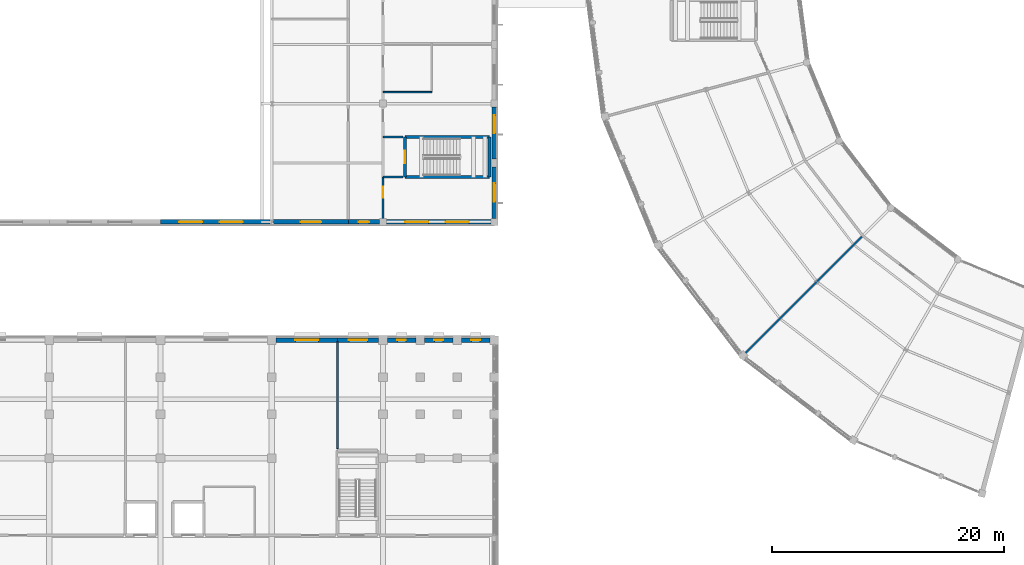
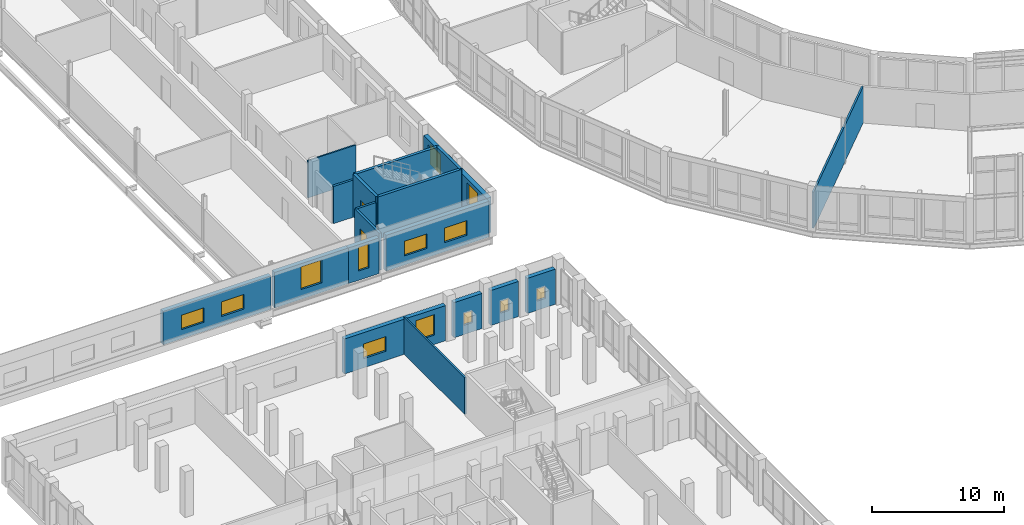
# One storey, part 139 of 170: 21 walls, 13 windows, 2 doors, 15 openings.
"""IFC4 building model written with IfcOpenShell, lengths in metres."""

import ifcopenshell
import ifcopenshell.guid

model = None  # the IFC model being written
_history = None  # IfcOwnerHistory: only IFC2X3 demands one
_inside = {}  # id of a spatial element -> (the spatial element, [elements in it])
_under = {}  # id of a project, library or spatial element -> (it, [spatial elements below it])
_declared = {}  # id of a project -> (the project, [libraries it declares])
_typed = {}  # id of a type object -> (the type object, [elements of that type])
_made_of = {}  # id of a material, layer set ... -> (it, [elements and type objects made of it])


def new_model(schema):
    """Start an empty IFC model of exactly this schema.

    Asked for "IFC4X3", IfcOpenShell would pick the latest addendum, in which some entities
    have other attributes; the version numbers below select the first issue.
    IFC2X3 requires an IfcOwnerHistory on every rooted entity: one is made here for all.
    """
    global model, _history
    if schema == "IFC4X3":
        model = ifcopenshell.file(schema_version=(4, 3, 0, 0))
    else:
        model = ifcopenshell.file(schema=schema)
    _inside.clear()
    _under.clear()
    _declared.clear()
    _typed.clear()
    _made_of.clear()
    _history = None
    if model.schema == "IFC2X3":
        org = make("IfcOrganization", Name="unknown")
        user = make(
            "IfcPersonAndOrganization",
            ThePerson=make("IfcPerson", FamilyName="unknown"),
            TheOrganization=org,
        )
        app = make(
            "IfcApplication",
            ApplicationDeveloper=org,
            Version="unknown",
            ApplicationFullName="unknown",
            ApplicationIdentifier="unknown",
        )
        _history = make(
            "IfcOwnerHistory",
            OwningUser=user,
            OwningApplication=app,
            ChangeAction="ADDED",
            CreationDate=0,
        )
    return model


def make(cls, **values):
    """One entity of the class cls with the attributes given. An attribute that is None is left unset."""
    return model.create_entity(
        cls, **{name: value for name, value in values.items() if value is not None}
    )


def rooted(cls, **values):
    """An entity with a GlobalId (a new one), such as an element, a storey or a relation."""
    return make(cls, GlobalId=ifcopenshell.guid.new(), OwnerHistory=_history, **values)


def si_unit(unit_type, name, prefix=None):
    """IfcSIUnit, for example si_unit("LENGTHUNIT", "METRE", prefix="MILLI")."""
    return make("IfcSIUnit", UnitType=unit_type, Prefix=prefix, Name=name)


def assignment(units):
    """IfcUnitAssignment: the units of a project."""
    return None if units is None else make("IfcUnitAssignment", Units=units)


def point(xyz):
    """IfcCartesianPoint."""
    return None if xyz is None else make("IfcCartesianPoint", Coordinates=xyz)


def direction(xyz):
    """IfcDirection."""
    return None if xyz is None else make("IfcDirection", DirectionRatios=xyz)


def frame(location, z_axis=None, x_axis=None):
    """IfcAxis2Placement3D, a coordinate frame: its origin and axes. An axis left out is left unset."""
    return make(
        "IfcAxis2Placement3D",
        Location=point(location),
        Axis=direction(z_axis),
        RefDirection=direction(x_axis),
    )


def frame_2d(location, x_axis=None):
    """IfcAxis2Placement2D, a coordinate frame in the plane: its origin and x axis."""
    return make(
        "IfcAxis2Placement2D", Location=point(location), RefDirection=direction(x_axis)
    )


def origin():
    """The frame at (0, 0, 0) with its axes left unset."""
    return frame((0.0, 0.0, 0.0))


def place(relative_to, where):
    """IfcLocalPlacement: puts the frame where relative to a parent placement (None: the world)."""
    return make(
        "IfcLocalPlacement", PlacementRelTo=relative_to, RelativePlacement=where
    )


def context(
    kind, dimensions, precision=None, world=None, true_north=None, identifier=None
):
    """IfcGeometricRepresentationContext, for example the 3D "Model" context."""
    return make(
        "IfcGeometricRepresentationContext",
        ContextIdentifier=identifier,
        ContextType=kind,
        CoordinateSpaceDimension=dimensions,
        Precision=precision,
        WorldCoordinateSystem=world,
        TrueNorth=true_north,
    )


def subcontext(parent, identifier, kind, view, scale=None):
    """IfcGeometricRepresentationSubContext, for example "Body" below "Model"."""
    return make(
        "IfcGeometricRepresentationSubContext",
        ContextIdentifier=identifier,
        ContextType=kind,
        ParentContext=parent,
        TargetScale=scale,
        TargetView=view,
    )


def project(units=None, contexts=None):
    """IfcProject with its units and contexts."""
    return rooted(
        "IfcProject",
        Name="project",
        RepresentationContexts=contexts,
        UnitsInContext=assignment(units),
    )


def spatial(cls, under=None, at=None, **own):
    """A site, building, storey or space (cls), placed at a placement, below another one or the project."""
    s = rooted(cls, ObjectPlacement=at, **own)
    if under is not None:
        _under.setdefault(under.id(), (under, []))[1].append(s)
    return s


def profile(cls, at=None, kind="AREA", **sizes):
    """A parametric profile (cls). Its sizes go by their IFC names, for example OverallWidth=200.0."""
    return make(cls, ProfileType=kind, Position=at, **sizes)


def rectangle(**sizes):
    """IfcRectangleProfileDef."""
    return profile("IfcRectangleProfileDef", **sizes)


def extrude(swept, where, along, depth):
    """IfcExtrudedAreaSolid: the profile swept, set in the frame where, extruded along a direction by depth."""
    return make(
        "IfcExtrudedAreaSolid",
        SweptArea=swept,
        Position=where,
        ExtrudedDirection=direction(along),
        Depth=depth,
    )


def shape(context_of_items, identifier, shape_type, items):
    """IfcShapeRepresentation: the items that make up one representation, for example the "Body"."""
    return make(
        "IfcShapeRepresentation",
        ContextOfItems=context_of_items,
        RepresentationIdentifier=identifier,
        RepresentationType=shape_type,
        Items=items,
    )


def material(Name=None, Category=None):
    """IfcMaterial."""
    return make("IfcMaterial", Name=Name, Category=Category)


def layer(
    of_material, thickness, ventilated=None, Name=None, Category=None, Priority=None
):
    """IfcMaterialLayer: one layer of a wall or slab, of a material (None: an air gap)."""
    return make(
        "IfcMaterialLayer",
        Material=of_material,
        LayerThickness=thickness,
        IsVentilated=ventilated,
        Name=Name,
        Category=Category,
        Priority=Priority,
    )


def layer_set(layers, Name=None):
    """IfcMaterialLayerSet."""
    return make("IfcMaterialLayerSet", MaterialLayers=layers, LayerSetName=Name)


def made_of(thing, what):
    """Note that an element or type object is made of a material, layer set ...; save() writes the relation."""
    if what is not None:
        _made_of.setdefault(what.id(), (what, []))[1].append(thing)
    return thing


def type_object(cls, material=None, **own):
    """A type object (cls), such as IfcWallType, which elements share."""
    return made_of(rooted(cls, **own), material)


def element(
    cls,
    number,
    at=None,
    inside=None,
    cuts=None,
    type_object=None,
    material=None,
    context=None,
    identifier="Body",
    shape_type=None,
    held_by="IfcProductDefinitionShape",
    body=None,
    shapes=None,
    **own,
):
    """One element of the class cls, such as IfcWall. Its Tag is "e" and its number.

    at: its placement. inside: the storey or other place that contains it. cuts: it is an
    opening in that element (IfcRelVoidsElement). A single representation is given by context,
    identifier, shape_type and body (its items); several are given by shapes. held_by: the class
    of the entity that holds the representations. save() writes the other relations.
    """
    e = rooted(cls, Tag="e%d" % number, ObjectPlacement=at, **own)
    if body is not None:
        shapes = [shape(context, identifier, shape_type, body)]
    if shapes is not None:
        e.Representation = make(held_by, Representations=shapes)
    if inside is not None:
        _inside.setdefault(inside.id(), (inside, []))[1].append(e)
    if cuts is not None:
        rooted(
            "IfcRelVoidsElement", RelatingBuildingElement=cuts, RelatedOpeningElement=e
        )
    if type_object is not None:
        _typed.setdefault(type_object.id(), (type_object, []))[1].append(e)
    return made_of(e, material)


def fill(opening, filler):
    """IfcRelFillsElement: the door or window that sits in an opening."""
    return rooted(
        "IfcRelFillsElement",
        RelatingOpeningElement=opening,
        RelatedBuildingElement=filler,
    )


def aggregate(whole, parts):
    """IfcRelAggregates: a whole, such as a stair, and the parts it consists of."""
    return rooted("IfcRelAggregates", RelatingObject=whole, RelatedObjects=parts)


def save(model, path):
    """Write the relations noted so far, then the file.

    IfcRelAggregates (storeys below a building ...), IfcRelContainedInSpatialStructure (elements
    in a storey), IfcRelDefinesByType, IfcRelAssociatesMaterial and IfcRelDeclares: one each for
    every whole, place, type object, material and project.
    """
    for whole, parts in _under.values():
        aggregate(whole, parts)
    for where, things in _inside.values():
        rooted(
            "IfcRelContainedInSpatialStructure",
            RelatedElements=things,
            RelatingStructure=where,
        )
    for kind, things in _typed.values():
        rooted("IfcRelDefinesByType", RelatedObjects=things, RelatingType=kind)
    for what, things in _made_of.values():
        rooted("IfcRelAssociatesMaterial", RelatedObjects=things, RelatingMaterial=what)
    for by, libraries in _declared.values():
        rooted("IfcRelDeclares", RelatingContext=by, RelatedDefinitions=libraries)
    model.write(path)


model = new_model("IFC4")

# Units and contexts
model_context = context("Model", 3, precision=1e-05, world=origin(), true_north=direction((0.0, 1.0)))
body_context = subcontext(model_context, "Body", "Model", "MODEL_VIEW")
ifc_project = project(units=[si_unit("LENGTHUNIT", "METRE"), si_unit("AREAUNIT", "SQUARE_METRE"), si_unit("VOLUMEUNIT", "CUBIC_METRE"), si_unit("PLANEANGLEUNIT", "RADIAN"), si_unit("MASSUNIT", "GRAM", prefix="KILO")], contexts=[model_context])

# Site, building, storey
site_placement = place(None, origin())
site = spatial("IfcSite", under=ifc_project, at=site_placement, CompositionType="ELEMENT")
building_placement = place(site_placement, origin())
building = spatial("IfcBuilding", under=site, at=building_placement, Name="Vondelvale Polytechnic", CompositionType="ELEMENT")
storey_placement = place(building_placement, frame((0.0, 0.0, 5.39990234375)))
storey = spatial("IfcBuildingStorey", under=building, at=storey_placement, Name="L01", CompositionType="ELEMENT", Elevation=5.39990234375)

# Wall, opening, window
ifc_material_1 = material(Name="Amsterdam School iron-spot clinker clay brickwork", Category="masonry")
ifc_layer_1 = layer(ifc_material_1, 0.3798828125)
ifc_layer_set_1 = layer_set([ifc_layer_1], Name="WL-BRICK-380")
wall_type_1 = type_object("IfcWallType", Name="WL-BRICK-380", PredefinedType="SOLIDWALL", material=ifc_layer_set_1)
wall_1_placement = place(storey_placement, frame((48.0, 55.7490234375, 0.0), z_axis=(0.0, 0.0, 1.0), x_axis=(0.0, -1.0, 0.0)))
wall_1 = element("IfcWall", 1, at=wall_1_placement, inside=storey, type_object=wall_type_1, Name="L01 exterior masonry facade wall", PredefinedType="SOLIDWALL", context=body_context, shape_type="SweptSolid", body=[
    extrude(rectangle(XDim=4.447998046875, YDim=0.3798828125, at=frame_2d((2.22412109375, 0.0))), origin(), (0.0, 0.0, 1.0), 3.25),
])
opening_1_placement = place(wall_1_placement, frame((1.424072265625, 0.0, 0.949951171875)))
opening_1 = element("IfcOpeningElement", 2, at=opening_1_placement, cuts=wall_1, Name="Opening WN-0053", PredefinedType="OPENING", context=body_context, shape_type="SweptSolid", body=[
    extrude(rectangle(XDim=1.60009765625, YDim=1.89990234375, at=frame_2d((0.800048828125, 0.949951171875))), frame((0.0, 0.199951171875, 0.0), z_axis=(0.0, -1.0, 0.0), x_axis=(1.0, 0.0, 0.0)), (0.0, 0.0, 1.0), 0.39990234375),
])
ifc_material_2 = material(Name="Double-glazed low-E insulated architectural glass", Category="glass")
window_type_1 = type_object("IfcWindowType", Name="WN-SEM-1600x1900", PartitioningType="SINGLE_PANEL", PredefinedType="WINDOW", material=ifc_material_2)
window_1_placement = place(opening_1_placement, origin())
window_1 = element("IfcWindow", 3, at=window_1_placement, inside=storey, type_object=window_type_1, Name="L01 double-glazed architectural window WN-0053", OverallHeight=1.89990234375, OverallWidth=1.60009765625, PartitioningType="SINGLE_PANEL", PredefinedType="WINDOW", context=body_context, shape_type="SweptSolid", body=[
    extrude(rectangle(XDim=1.60009765625, YDim=1.89990234375, at=frame_2d((0.800048828125, 0.949951171875))), frame((0.0, 0.030029296875, 0.0), z_axis=(0.0, -1.0, 0.0), x_axis=(1.0, 0.0, 0.0)), (0.0, 0.0, 1.0), 0.06005859375),
])
fill(opening_1, window_1)

wall_2_placement = place(storey_placement, frame((48.0, 60.89892578125, 0.0), z_axis=(0.0, 0.0, 1.0), x_axis=(0.0, -1.0, 0.0)))
wall_2 = element("IfcWall", 4, at=wall_2_placement, inside=storey, type_object=wall_type_1, Name="L01 exterior masonry facade wall", PredefinedType="SOLIDWALL", context=body_context, shape_type="SweptSolid", body=[
    extrude(rectangle(XDim=4.447998046875, YDim=0.3798828125, at=frame_2d((2.22412109375, 0.0))), origin(), (0.0, 0.0, 1.0), 3.25),
])
opening_2_placement = place(wall_2_placement, frame((0.7041015625, 0.0, 0.949951171875)))
opening_2 = element("IfcOpeningElement", 5, at=opening_2_placement, cuts=wall_2, Name="Opening WN-0054", PredefinedType="OPENING", context=body_context, shape_type="SweptSolid", body=[
    extrude(rectangle(XDim=1.550048828125, YDim=1.85009765625, at=frame_2d((0.77490234375, 0.925048828125))), frame((0.0, 0.199951171875, 0.0), z_axis=(0.0, -1.0, 0.0), x_axis=(1.0, 0.0, 0.0)), (0.0, 0.0, 1.0), 0.39990234375),
])
window_type_2 = type_object("IfcWindowType", Name="WN-SEM-1550x1850", PartitioningType="SINGLE_PANEL", PredefinedType="WINDOW", material=ifc_material_2)
window_2_placement = place(opening_2_placement, origin())
window_2 = element("IfcWindow", 6, at=window_2_placement, inside=storey, type_object=window_type_2, Name="L01 double-glazed architectural window WN-0054", OverallHeight=1.85009765625, OverallWidth=1.550048828125, PartitioningType="SINGLE_PANEL", PredefinedType="WINDOW", context=body_context, shape_type="SweptSolid", body=[
    extrude(rectangle(XDim=1.550048828125, YDim=1.85009765625, at=frame_2d((0.77490234375, 0.925048828125))), frame((0.0, 0.030029296875, 0.0), z_axis=(0.0, -1.0, 0.0), x_axis=(1.0, 0.0, 0.0)), (0.0, 0.0, 1.0), 0.06005859375),
])
fill(opening_2, window_2)

# Wall, openings, windows
wall_3_placement = place(storey_placement, frame((28.635498046875, 51.0, 0.0), z_axis=(0.0, 0.0, 1.0), x_axis=(-1.0, 0.0, 0.0)))
wall_3 = element("IfcWall", 7, at=wall_3_placement, inside=storey, type_object=wall_type_1, Name="L01 exterior masonry facade wall", PredefinedType="SOLIDWALL", context=body_context, shape_type="SweptSolid", body=[
    extrude(rectangle(XDim=9.435546875, YDim=0.3798828125, at=frame_2d((4.7177734375, 0.0))), origin(), (0.0, 0.0, 1.0), 3.10009765625),
])
opening_3_placement = place(wall_3_placement, frame((5.83544921875, 0.0, 0.85009765625)))
opening_3 = element("IfcOpeningElement", 8, at=opening_3_placement, cuts=wall_3, Name="Opening WN-0071", PredefinedType="OPENING", context=body_context, shape_type="SweptSolid", body=[
    extrude(rectangle(XDim=2.0, YDim=1.35009765625, at=frame_2d((1.0, 0.675048828125))), frame((0.0, 0.199951171875, 0.0), z_axis=(0.0, -1.0, 0.0), x_axis=(1.0, 0.0, 0.0)), (0.0, 0.0, 1.0), 0.39990234375),
])
opening_4_placement = place(wall_3_placement, frame((2.33544921875, 0.0, 0.85009765625)))
opening_4 = element("IfcOpeningElement", 9, at=opening_4_placement, cuts=wall_3, Name="Opening WN-0072", PredefinedType="OPENING", context=body_context, shape_type="SweptSolid", body=[
    extrude(rectangle(XDim=2.0, YDim=1.35009765625, at=frame_2d((1.0, 0.675048828125))), frame((0.0, 0.199951171875, 0.0), z_axis=(0.0, -1.0, 0.0), x_axis=(1.0, 0.0, 0.0)), (0.0, 0.0, 1.0), 0.39990234375),
])
window_type_3 = type_object("IfcWindowType", Name="WN-RIB-2000x1350", PartitioningType="SINGLE_PANEL", PredefinedType="WINDOW", material=ifc_material_2)
window_3_placement = place(opening_3_placement, origin())
window_3 = element("IfcWindow", 10, at=window_3_placement, inside=storey, type_object=window_type_3, Name="L01 double-glazed architectural window WN-0071", OverallHeight=1.35009765625, OverallWidth=2.0, PartitioningType="SINGLE_PANEL", PredefinedType="WINDOW", context=body_context, shape_type="SweptSolid", body=[
    extrude(rectangle(XDim=2.0, YDim=1.35009765625, at=frame_2d((1.0, 0.675048828125))), frame((0.0, 0.030029296875, 0.0), z_axis=(0.0, -1.0, 0.0), x_axis=(1.0, 0.0, 0.0)), (0.0, 0.0, 1.0), 0.06005859375),
])
fill(opening_3, window_3)
window_4_placement = place(opening_4_placement, origin())
window_4 = element("IfcWindow", 11, at=window_4_placement, inside=storey, type_object=window_type_3, Name="L01 double-glazed architectural window WN-0072", OverallHeight=1.35009765625, OverallWidth=2.0, PartitioningType="SINGLE_PANEL", PredefinedType="WINDOW", context=body_context, shape_type="SweptSolid", body=[
    extrude(rectangle(XDim=2.0, YDim=1.35009765625, at=frame_2d((1.0, 0.675048828125))), frame((0.0, 0.030029296875, 0.0), z_axis=(0.0, -1.0, 0.0), x_axis=(1.0, 0.0, 0.0)), (0.0, 0.0, 1.0), 0.06005859375),
])
fill(opening_4, window_4)

# Wall, opening, window
wall_4_placement = place(storey_placement, frame((35.39990234375, 51.0, 0.0), z_axis=(0.0, 0.0, 1.0), x_axis=(-1.0, 0.0, 0.0)))
wall_4 = element("IfcWall", 12, at=wall_4_placement, inside=storey, type_object=wall_type_1, Name="L01 exterior masonry facade wall", PredefinedType="SOLIDWALL", context=body_context, shape_type="SweptSolid", body=[
    extrude(rectangle(XDim=6.435302734375, YDim=0.3798828125, at=frame_2d((3.2177734375, 0.0))), origin(), (0.0, 0.0, 1.0), 3.298095703125),
])
opening_5_placement = place(wall_4_placement, frame((2.31787109375, 0.0, 0.89990234375)))
opening_5 = element("IfcOpeningElement", 13, at=opening_5_placement, cuts=wall_4, Name="Opening WN-0073", PredefinedType="OPENING", context=body_context, shape_type="SweptSolid", body=[
    extrude(rectangle(XDim=1.800048828125, YDim=2.10009765625, at=frame_2d((0.89990234375, 1.050048828125))), frame((0.0, 0.199951171875, 0.0), z_axis=(0.0, -1.0, 0.0), x_axis=(1.0, 0.0, 0.0)), (0.0, 0.0, 1.0), 0.39990234375),
])
window_type_4 = type_object("IfcWindowType", Name="WN-LAB-1800x2100", PartitioningType="SINGLE_PANEL", PredefinedType="WINDOW", material=ifc_material_2)
window_5_placement = place(opening_5_placement, origin())
window_5 = element("IfcWindow", 14, at=window_5_placement, inside=storey, type_object=window_type_4, Name="L01 double-glazed architectural window WN-0073", OverallHeight=2.10009765625, OverallWidth=1.800048828125, PartitioningType="SINGLE_PANEL", PredefinedType="WINDOW", context=body_context, shape_type="SweptSolid", body=[
    extrude(rectangle(XDim=1.800048828125, YDim=2.10009765625, at=frame_2d((0.89990234375, 1.050048828125))), frame((0.0, 0.030029296875, 0.0), z_axis=(0.0, -1.0, 0.0), x_axis=(1.0, 0.0, 0.0)), (0.0, 0.0, 1.0), 0.06005859375),
])
fill(opening_5, window_5)

wall_5_placement = place(storey_placement, frame((38.09912109375, 51.0, 0.0), z_axis=(0.0, 0.0, 1.0), x_axis=(-1.0, 0.0, 0.0)))
wall_5 = element("IfcWall", 15, at=wall_5_placement, inside=storey, type_object=wall_type_1, Name="L01 exterior masonry facade wall", PredefinedType="SOLIDWALL", context=body_context, shape_type="SweptSolid", body=[
    extrude(rectangle(XDim=2.69921875, YDim=0.3798828125, at=frame_2d((1.349609375, 0.0))), origin(), (0.0, 0.0, 1.0), 3.298095703125),
])
opening_6_placement = place(wall_5_placement, frame((0.8994140625, 0.0, 0.85009765625)))
opening_6 = element("IfcOpeningElement", 16, at=opening_6_placement, cuts=wall_5, Name="Opening WN-0074", PredefinedType="OPENING", context=body_context, shape_type="SweptSolid", body=[
    extrude(rectangle(XDim=0.89990234375, YDim=2.199951171875, at=frame_2d((0.449951171875, 1.10009765625))), frame((0.0, 0.199951171875, 0.0), z_axis=(0.0, -1.0, 0.0), x_axis=(1.0, 0.0, 0.0)), (0.0, 0.0, 1.0), 0.39990234375),
])
window_type_5 = type_object("IfcWindowType", Name="WN-TUR-0900x2200", PartitioningType="SINGLE_PANEL", PredefinedType="WINDOW", material=ifc_material_2)
window_6_placement = place(opening_6_placement, origin())
window_6 = element("IfcWindow", 17, at=window_6_placement, inside=storey, type_object=window_type_5, Name="L01 double-glazed architectural window WN-0074", OverallHeight=2.199951171875, OverallWidth=0.89990234375, PartitioningType="SINGLE_PANEL", PredefinedType="WINDOW", context=body_context, shape_type="SweptSolid", body=[
    extrude(rectangle(XDim=0.89990234375, YDim=2.199951171875, at=frame_2d((0.449951171875, 1.10009765625))), frame((0.0, 0.030029296875, 0.0), z_axis=(0.0, -1.0, 0.0), x_axis=(1.0, 0.0, 0.0)), (0.0, 0.0, 1.0), 0.06005859375),
])
fill(opening_6, window_6)

# Wall, openings, windows
wall_6_placement = place(storey_placement, frame((47.698974609375, 51.0, 0.0), z_axis=(0.0, 0.0, 1.0), x_axis=(-1.0, 0.0, 0.0)))
wall_6 = element("IfcWall", 18, at=wall_6_placement, inside=storey, type_object=wall_type_1, Name="L01 exterior masonry facade wall", PredefinedType="SOLIDWALL", context=body_context, shape_type="SweptSolid", body=[
    extrude(rectangle(XDim=8.998046875, YDim=0.3798828125, at=frame_2d((4.4990234375, 0.0))), origin(), (0.0, 0.0, 1.0), 3.320068359375),
])
opening_7_placement = place(wall_6_placement, frame((5.39794921875, 0.0, 0.85009765625)))
opening_7 = element("IfcOpeningElement", 19, at=opening_7_placement, cuts=wall_6, Name="Opening WN-0075", PredefinedType="OPENING", context=body_context, shape_type="SweptSolid", body=[
    extrude(rectangle(XDim=2.0, YDim=1.35009765625, at=frame_2d((1.0, 0.675048828125))), frame((0.0, 0.199951171875, 0.0), z_axis=(0.0, -1.0, 0.0), x_axis=(1.0, 0.0, 0.0)), (0.0, 0.0, 1.0), 0.39990234375),
])
opening_8_placement = place(wall_6_placement, frame((1.89794921875, 0.0, 0.85009765625)))
opening_8 = element("IfcOpeningElement", 20, at=opening_8_placement, cuts=wall_6, Name="Opening WN-0076", PredefinedType="OPENING", context=body_context, shape_type="SweptSolid", body=[
    extrude(rectangle(XDim=2.0, YDim=1.35009765625, at=frame_2d((1.0, 0.675048828125))), frame((0.0, 0.199951171875, 0.0), z_axis=(0.0, -1.0, 0.0), x_axis=(1.0, 0.0, 0.0)), (0.0, 0.0, 1.0), 0.39990234375),
])
window_7_placement = place(opening_7_placement, origin())
window_7 = element("IfcWindow", 21, at=window_7_placement, inside=storey, type_object=window_type_3, Name="L01 double-glazed architectural window WN-0075", OverallHeight=1.35009765625, OverallWidth=2.0, PartitioningType="SINGLE_PANEL", PredefinedType="WINDOW", context=body_context, shape_type="SweptSolid", body=[
    extrude(rectangle(XDim=2.0, YDim=1.35009765625, at=frame_2d((1.0, 0.675048828125))), frame((0.0, 0.030029296875, 0.0), z_axis=(0.0, -1.0, 0.0), x_axis=(1.0, 0.0, 0.0)), (0.0, 0.0, 1.0), 0.06005859375),
])
fill(opening_7, window_7)
window_8_placement = place(opening_8_placement, origin())
window_8 = element("IfcWindow", 22, at=window_8_placement, inside=storey, type_object=window_type_3, Name="L01 double-glazed architectural window WN-0076", OverallHeight=1.35009765625, OverallWidth=2.0, PartitioningType="SINGLE_PANEL", PredefinedType="WINDOW", context=body_context, shape_type="SweptSolid", body=[
    extrude(rectangle(XDim=2.0, YDim=1.35009765625, at=frame_2d((1.0, 0.675048828125))), frame((0.0, 0.030029296875, 0.0), z_axis=(0.0, -1.0, 0.0), x_axis=(1.0, 0.0, 0.0)), (0.0, 0.0, 1.0), 0.06005859375),
])
fill(opening_8, window_8)

# Wall, opening, window
wall_7_placement = place(storey_placement, frame((29.176025390625, 40.800048828125, 0.0), z_axis=(0.0, 0.0, 1.0), x_axis=(1.0, 0.0, 0.0)))
wall_7 = element("IfcWall", 23, at=wall_7_placement, inside=storey, type_object=wall_type_1, Name="L01 exterior masonry facade wall", PredefinedType="SOLIDWALL", context=body_context, shape_type="SweptSolid", body=[
    extrude(rectangle(XDim=5.299072265625, YDim=0.3798828125, at=frame_2d((2.6494140625, 0.0))), origin(), (0.0, 0.0, 1.0), 3.25),
])
opening_9_placement = place(wall_7_placement, frame((1.6494140625, 0.0, 0.85009765625)))
opening_9 = element("IfcOpeningElement", 24, at=opening_9_placement, cuts=wall_7, Name="Opening WN-0178", PredefinedType="OPENING", context=body_context, shape_type="SweptSolid", body=[
    extrude(rectangle(XDim=2.0, YDim=1.35009765625, at=frame_2d((1.0, 0.675048828125))), frame((0.0, 0.199951171875, 0.0), z_axis=(0.0, -1.0, 0.0), x_axis=(1.0, 0.0, 0.0)), (0.0, 0.0, 1.0), 0.39990234375),
])
window_9_placement = place(opening_9_placement, origin())
window_9 = element("IfcWindow", 25, at=window_9_placement, inside=storey, type_object=window_type_3, Name="L01 double-glazed architectural window WN-0178", OverallHeight=1.35009765625, OverallWidth=2.0, PartitioningType="SINGLE_PANEL", PredefinedType="WINDOW", context=body_context, shape_type="SweptSolid", body=[
    extrude(rectangle(XDim=2.0, YDim=1.35009765625, at=frame_2d((1.0, 0.675048828125))), frame((0.0, 0.030029296875, 0.0), z_axis=(0.0, -1.0, 0.0), x_axis=(1.0, 0.0, 0.0)), (0.0, 0.0, 1.0), 0.06005859375),
])
fill(opening_9, window_9)

wall_8_placement = place(storey_placement, frame((34.47509765625, 40.800048828125, 0.0), z_axis=(0.0, 0.0, 1.0), x_axis=(1.0, 0.0, 0.0)))
wall_8 = element("IfcWall", 26, at=wall_8_placement, inside=storey, type_object=wall_type_1, Name="L01 exterior masonry facade wall", PredefinedType="SOLIDWALL", context=body_context, shape_type="SweptSolid", body=[
    extrude(rectangle(XDim=3.548828125, YDim=0.3798828125, at=frame_2d((1.7744140625, 0.0))), origin(), (0.0, 0.0, 1.0), 3.25),
])
opening_10_placement = place(wall_8_placement, frame((0.974609375, 0.0, 0.85009765625)))
opening_10 = element("IfcOpeningElement", 27, at=opening_10_placement, cuts=wall_8, Name="Opening WN-0179", PredefinedType="OPENING", context=body_context, shape_type="SweptSolid", body=[
    extrude(rectangle(XDim=1.60009765625, YDim=1.89990234375, at=frame_2d((0.800048828125, 0.949951171875))), frame((0.0, 0.199951171875, 0.0), z_axis=(0.0, -1.0, 0.0), x_axis=(1.0, 0.0, 0.0)), (0.0, 0.0, 1.0), 0.39990234375),
])
window_10_placement = place(opening_10_placement, origin())
window_10 = element("IfcWindow", 28, at=window_10_placement, inside=storey, type_object=window_type_1, Name="L01 double-glazed architectural window WN-0179", OverallHeight=1.89990234375, OverallWidth=1.60009765625, PartitioningType="SINGLE_PANEL", PredefinedType="WINDOW", context=body_context, shape_type="SweptSolid", body=[
    extrude(rectangle(XDim=1.60009765625, YDim=1.89990234375, at=frame_2d((0.800048828125, 0.949951171875))), frame((0.0, 0.030029296875, 0.0), z_axis=(0.0, -1.0, 0.0), x_axis=(1.0, 0.0, 0.0)), (0.0, 0.0, 1.0), 0.06005859375),
])
fill(opening_10, window_10)

wall_9_placement = place(storey_placement, frame((38.77587890625, 40.800048828125, 0.0), z_axis=(0.0, 0.0, 1.0), x_axis=(1.0, 0.0, 0.0)))
wall_9 = element("IfcWall", 29, at=wall_9_placement, inside=storey, type_object=wall_type_1, Name="L01 exterior masonry facade wall", PredefinedType="SOLIDWALL", context=body_context, shape_type="SweptSolid", body=[
    extrude(rectangle(XDim=2.4482421875, YDim=0.3798828125, at=frame_2d((1.22412109375, 0.0))), origin(), (0.0, 0.0, 1.0), 3.25),
])
opening_11_placement = place(wall_9_placement, frame((0.84912109375, 0.0, 0.85009765625)))
opening_11 = element("IfcOpeningElement", 30, at=opening_11_placement, cuts=wall_9, Name="Opening WN-0180", PredefinedType="OPENING", context=body_context, shape_type="SweptSolid", body=[
    extrude(rectangle(XDim=0.75, YDim=1.10009765625, at=frame_2d((0.375, 0.550048828125))), frame((0.0, 0.199951171875, 0.0), z_axis=(0.0, -1.0, 0.0), x_axis=(1.0, 0.0, 0.0)), (0.0, 0.0, 1.0), 0.39990234375),
])
window_type_6 = type_object("IfcWindowType", Name="WN-WC-0750x1100", PartitioningType="SINGLE_PANEL", PredefinedType="WINDOW", material=ifc_material_2)
window_11_placement = place(opening_11_placement, origin())
window_11 = element("IfcWindow", 31, at=window_11_placement, inside=storey, type_object=window_type_6, Name="L01 double-glazed architectural window WN-0180", OverallHeight=1.10009765625, OverallWidth=0.75, PartitioningType="SINGLE_PANEL", PredefinedType="WINDOW", context=body_context, shape_type="SweptSolid", body=[
    extrude(rectangle(XDim=0.75, YDim=1.10009765625, at=frame_2d((0.375, 0.550048828125))), frame((0.0, 0.030029296875, 0.0), z_axis=(0.0, -1.0, 0.0), x_axis=(1.0, 0.0, 0.0)), (0.0, 0.0, 1.0), 0.06005859375),
])
fill(opening_11, window_11)

wall_10_placement = place(storey_placement, frame((41.97607421875, 40.800048828125, 0.0), z_axis=(0.0, 0.0, 1.0), x_axis=(1.0, 0.0, 0.0)))
wall_10 = element("IfcWall", 32, at=wall_10_placement, inside=storey, type_object=wall_type_1, Name="L01 exterior masonry facade wall", PredefinedType="SOLIDWALL", context=body_context, shape_type="SweptSolid", body=[
    extrude(rectangle(XDim=2.447998046875, YDim=0.3798828125, at=frame_2d((1.22412109375, 0.0))), origin(), (0.0, 0.0, 1.0), 3.25),
])
opening_12_placement = place(wall_10_placement, frame((0.84912109375, 0.0, 0.85009765625)))
opening_12 = element("IfcOpeningElement", 33, at=opening_12_placement, cuts=wall_10, Name="Opening WN-0181", PredefinedType="OPENING", context=body_context, shape_type="SweptSolid", body=[
    extrude(rectangle(XDim=0.75, YDim=1.10009765625, at=frame_2d((0.375, 0.550048828125))), frame((0.0, 0.199951171875, 0.0), z_axis=(0.0, -1.0, 0.0), x_axis=(1.0, 0.0, 0.0)), (0.0, 0.0, 1.0), 0.39990234375),
])
window_12_placement = place(opening_12_placement, origin())
window_12 = element("IfcWindow", 34, at=window_12_placement, inside=storey, type_object=window_type_6, Name="L01 double-glazed architectural window WN-0181", OverallHeight=1.10009765625, OverallWidth=0.75, PartitioningType="SINGLE_PANEL", PredefinedType="WINDOW", context=body_context, shape_type="SweptSolid", body=[
    extrude(rectangle(XDim=0.75, YDim=1.10009765625, at=frame_2d((0.375, 0.550048828125))), frame((0.0, 0.030029296875, 0.0), z_axis=(0.0, -1.0, 0.0), x_axis=(1.0, 0.0, 0.0)), (0.0, 0.0, 1.0), 0.06005859375),
])
fill(opening_12, window_12)

wall_11_placement = place(storey_placement, frame((45.176025390625, 40.800048828125, 0.0), z_axis=(0.0, 0.0, 1.0), x_axis=(1.0, 0.0, 0.0)))
wall_11 = element("IfcWall", 35, at=wall_11_placement, inside=storey, type_object=wall_type_1, Name="L01 exterior masonry facade wall", PredefinedType="SOLIDWALL", context=body_context, shape_type="SweptSolid", body=[
    extrude(rectangle(XDim=2.447998046875, YDim=0.3798828125, at=frame_2d((1.22412109375, 0.0))), origin(), (0.0, 0.0, 1.0), 3.25),
])
opening_13_placement = place(wall_11_placement, frame((0.84912109375, 0.0, 0.85009765625)))
opening_13 = element("IfcOpeningElement", 36, at=opening_13_placement, cuts=wall_11, Name="Opening WN-0182", PredefinedType="OPENING", context=body_context, shape_type="SweptSolid", body=[
    extrude(rectangle(XDim=0.75, YDim=1.10009765625, at=frame_2d((0.375, 0.550048828125))), frame((0.0, 0.199951171875, 0.0), z_axis=(0.0, -1.0, 0.0), x_axis=(1.0, 0.0, 0.0)), (0.0, 0.0, 1.0), 0.39990234375),
])
window_13_placement = place(opening_13_placement, origin())
window_13 = element("IfcWindow", 37, at=window_13_placement, inside=storey, type_object=window_type_6, Name="L01 double-glazed architectural window WN-0182", OverallHeight=1.10009765625, OverallWidth=0.75, PartitioningType="SINGLE_PANEL", PredefinedType="WINDOW", context=body_context, shape_type="SweptSolid", body=[
    extrude(rectangle(XDim=0.75, YDim=1.10009765625, at=frame_2d((0.375, 0.550048828125))), frame((0.0, 0.030029296875, 0.0), z_axis=(0.0, -1.0, 0.0), x_axis=(1.0, 0.0, 0.0)), (0.0, 0.0, 1.0), 0.06005859375),
])
fill(opening_13, window_13)

# Walls
ifc_material_3 = material(Name="Concrete N40 (f'c = 40 MPa)", Category="concrete")
ifc_layer_2 = layer(ifc_material_3, 0.25)
ifc_layer_set_2 = layer_set([ifc_layer_2], Name="WL-CORE-250")
wall_type_2 = type_object("IfcWallType", Name="WL-CORE-250", PredefinedType="SOLIDWALL", material=ifc_layer_set_2)
wall_12_placement = place(storey_placement, frame((40.27490234375, 54.875, 0.0), z_axis=(0.0, 0.0, 1.0), x_axis=(1.0, 0.0, 0.0)))
element("IfcWall", 38, at=wall_12_placement, inside=storey, type_object=wall_type_2, Name="L01 ST-01 reinforced concrete stair core wall", PredefinedType="SOLIDWALL", context=body_context, shape_type="SweptSolid", body=[
    extrude(rectangle(XDim=7.300048828125, YDim=0.25, at=frame_2d((3.64990234375, 0.0))), origin(), (0.0, 0.0, 1.0), 3.920166015625),
])
wall_13_placement = place(storey_placement, frame((47.574951171875, 54.875, 0.0), z_axis=(0.0, 0.0, 1.0), x_axis=(0.0, 1.0, 0.0)))
element("IfcWall", 39, at=wall_13_placement, inside=storey, type_object=wall_type_2, Name="L01 ST-01 reinforced concrete stair core wall", PredefinedType="SOLIDWALL", context=body_context, shape_type="SweptSolid", body=[
    extrude(rectangle(XDim=3.449951171875, YDim=0.25, at=frame_2d((1.72509765625, 0.0))), origin(), (0.0, 0.0, 1.0), 3.920166015625),
])
wall_14_placement = place(storey_placement, frame((47.574951171875, 58.324951171875, 0.0), z_axis=(0.0, 0.0, 1.0), x_axis=(-1.0, 0.0, 0.0)))
element("IfcWall", 40, at=wall_14_placement, inside=storey, type_object=wall_type_2, Name="L01 ST-01 reinforced concrete stair core wall", PredefinedType="SOLIDWALL", context=body_context, shape_type="SweptSolid", body=[
    extrude(rectangle(XDim=7.300048828125, YDim=0.25, at=frame_2d((3.64990234375, 0.0))), origin(), (0.0, 0.0, 1.0), 3.920166015625),
])

# Wall, opening, door
wall_15_placement = place(storey_placement, frame((40.27490234375, 58.324951171875, 0.0), z_axis=(0.0, 0.0, 1.0), x_axis=(0.0, -1.0, 0.0)))
wall_15 = element("IfcWall", 41, at=wall_15_placement, inside=storey, type_object=wall_type_2, Name="L01 ST-01 reinforced concrete stair core wall", PredefinedType="SOLIDWALL", context=body_context, shape_type="SweptSolid", body=[
    extrude(rectangle(XDim=3.449951171875, YDim=0.25, at=frame_2d((1.72509765625, 0.0))), origin(), (0.0, 0.0, 1.0), 3.920166015625),
])
opening_14_placement = place(wall_15_placement, frame((1.175048828125, 0.0, 0.0)))
opening_14 = element("IfcOpeningElement", 42, at=opening_14_placement, cuts=wall_15, Name="Opening SD-003", PredefinedType="OPENING", context=body_context, shape_type="SweptSolid", body=[
    extrude(rectangle(XDim=1.10009765625, YDim=2.199951171875, at=frame_2d((0.550048828125, 1.10009765625))), frame((0.0, 0.135009765625, 0.0), z_axis=(0.0, -1.0, 0.0), x_axis=(1.0, 0.0, 0.0)), (0.0, 0.0, 1.0), 0.27001953125),
])
ifc_material_4 = material(Name="Brushed architectural stainless and zinc-coated metal")
door_type_1 = type_object("IfcDoorType", Name="DR-STAIR-1100x2200", OperationType="SINGLE_SWING_LEFT", PredefinedType="DOOR", material=ifc_material_4)
door_1_placement = place(opening_14_placement, origin())
door_1 = element("IfcDoor", 43, at=door_1_placement, inside=storey, type_object=door_type_1, Name="L01 ST-01 fire-isolated stair door", OperationType="SINGLE_SWING_LEFT", OverallHeight=2.199951171875, OverallWidth=1.10009765625, PredefinedType="DOOR", context=body_context, shape_type="SweptSolid", body=[
    extrude(rectangle(XDim=1.10009765625, YDim=2.199951171875, at=frame_2d((0.550048828125, 1.10009765625))), frame((0.0, 0.02490234375, 0.0), z_axis=(0.0, -1.0, 0.0), x_axis=(1.0, 0.0, 0.0)), (0.0, 0.0, 1.0), 0.050048828125),
])
fill(opening_14, door_1)

ifc_material_5 = material(Name="Fire-rated double-layer plasterboard stud partition")
ifc_layer_3 = layer(ifc_material_5, 0.199951171875)
ifc_layer_set_3 = layer_set([ifc_layer_3], Name="WL-CORR-200")
wall_type_3 = type_object("IfcWallType", Name="WL-CORR-200", PredefinedType="PARTITIONING", material=ifc_layer_set_3)
wall_16_placement = place(storey_placement, frame((38.39990234375, 51.14990234375, 0.0), z_axis=(0.0, 0.0, 1.0), x_axis=(0.0, 1.0, 0.0)))
wall_16 = element("IfcWall", 44, at=wall_16_placement, inside=storey, type_object=wall_type_3, Name="L01 interior acoustic partition", PredefinedType="PARTITIONING", context=body_context, shape_type="SweptSolid", body=[
    extrude(rectangle(XDim=3.72509765625, YDim=0.199951171875, at=frame_2d((1.862548828125, 0.0))), origin(), (0.0, 0.0, 1.0), 3.443115234375),
])
opening_15_placement = place(wall_16_placement, frame((1.949951171875, 0.0, 0.0)))
opening_15 = element("IfcOpeningElement", 45, at=opening_15_placement, cuts=wall_16, Name="Opening ID-0108", PredefinedType="OPENING", context=body_context, shape_type="SweptSolid", body=[
    extrude(rectangle(XDim=0.949951171875, YDim=2.10009765625, at=frame_2d((0.47509765625, 1.050048828125))), frame((0.0, 0.10986328125, 0.0), z_axis=(0.0, -1.0, 0.0), x_axis=(1.0, 0.0, 0.0)), (0.0, 0.0, 1.0), 0.219970703125),
])
ifc_material_6 = material(Name="Fire-rated solid Tasmanian oak joinery")
door_type_2 = type_object("IfcDoorType", Name="DR-INT-0950x2100", OperationType="SINGLE_SWING_LEFT", PredefinedType="DOOR", material=ifc_material_6)
door_2_placement = place(opening_15_placement, origin())
door_2 = element("IfcDoor", 46, at=door_2_placement, inside=storey, type_object=door_type_2, Name="L01 interior room door ID-0108", OperationType="SINGLE_SWING_RIGHT", OverallHeight=2.10009765625, OverallWidth=0.949951171875, PredefinedType="DOOR", context=body_context, shape_type="SweptSolid", body=[
    extrude(rectangle(XDim=0.949951171875, YDim=2.10009765625, at=frame_2d((0.47509765625, 1.050048828125))), frame((0.0, 0.02490234375, 0.0), z_axis=(0.0, -1.0, 0.0), x_axis=(1.0, 0.0, 0.0)), (0.0, 0.0, 1.0), 0.050048828125),
])
fill(opening_15, door_2)

# Walls
for number, where, z_axis, x_axis, name in (
    (47, (38.39990234375, 54.875, 0.0), (0.0, 0.0, 1.0), (1.0, 0.0, 0.0), "L01 interior acoustic partition"),
    (48, (38.39990234375, 58.324951171875, 0.0), (0.0, 0.0, 1.0), (1.0, 0.0, 0.0), "L01 interior acoustic partition"),
):
    element("IfcWall", number, at=place(storey_placement, frame(where, z_axis=z_axis, x_axis=x_axis)), inside=storey, type_object=wall_type_3, Name=name, PredefinedType="PARTITIONING", context=body_context, shape_type="SweptSolid", body=[
        extrude(rectangle(XDim=1.710205078125, YDim=0.199951171875, at=frame_2d((0.85498046875, 0.0))), origin(), (0.0, 0.0, 1.0), 3.443115234375),
    ])
ifc_layer_4 = layer(ifc_material_5, 0.1201171875)
ifc_layer_set_4 = layer_set([ifc_layer_4], Name="WL-INT-120")
wall_type_4 = type_object("IfcWallType", Name="WL-INT-120", PredefinedType="PARTITIONING", material=ifc_layer_set_4)
wall_17_placement = place(storey_placement, frame((38.39990234375, 62.199951171875, 0.0), z_axis=(0.0, 0.0, 1.0), x_axis=(1.0, 0.0, 0.0)))
element("IfcWall", 49, at=wall_17_placement, inside=storey, type_object=wall_type_4, Name="L01 interior acoustic partition", PredefinedType="PARTITIONING", context=body_context, shape_type="SweptSolid", body=[
    extrude(rectangle(XDim=4.2001953125, YDim=0.1201171875, at=frame_2d((2.10009765625, 0.0))), origin(), (0.0, 0.0, 1.0), 3.443115234375),
])
ifc_layer_5 = layer(ifc_material_5, 0.14990234375)
ifc_layer_set_5 = layer_set([ifc_layer_5], Name="WL-INT-150")
wall_type_5 = type_object("IfcWallType", Name="WL-INT-150", PredefinedType="PARTITIONING", material=ifc_layer_set_5)
wall_18_placement = place(storey_placement, frame((34.47509765625, 31.43994140625, 0.0), z_axis=(0.0, 0.0, 1.0), x_axis=(0.0, 1.0, 0.0)))
element("IfcWall", 50, at=wall_18_placement, inside=storey, type_object=wall_type_5, Name="L01 interior acoustic partition", PredefinedType="PARTITIONING", context=body_context, shape_type="SweptSolid", body=[
    extrude(rectangle(XDim=9.2099609375, YDim=0.14990234375, at=frame_2d((4.60498046875, 0.0))), origin(), (0.0, 0.0, 1.0), 3.400146484375),
])
wall_19_placement = place(storey_placement, frame((79.796875, 49.796875, 0.0), z_axis=(0.0, 0.0, 1.0), x_axis=(-0.707106781187, -0.707106781187, 0.0)))
element("IfcWall", 51, at=wall_19_placement, inside=storey, type_object=wall_type_5, Name="L01 interior acoustic partition", PredefinedType="PARTITIONING", context=body_context, shape_type="SweptSolid", body=[
    extrude(rectangle(XDim=14.480224609375, YDim=0.14990234375, at=frame_2d((7.240234375, 0.0))), origin(), (0.0, 0.0, 1.0), 3.3671875),
])

save(model, "model.ifc")
